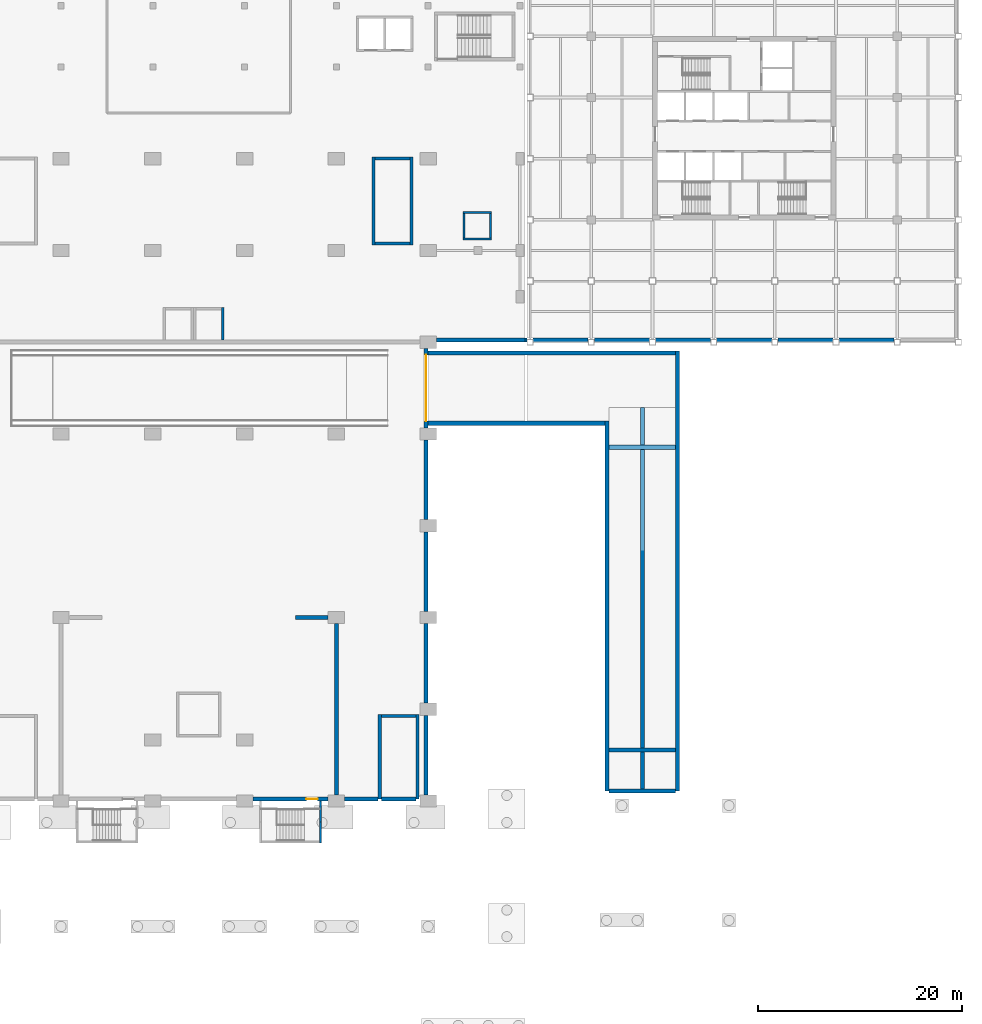
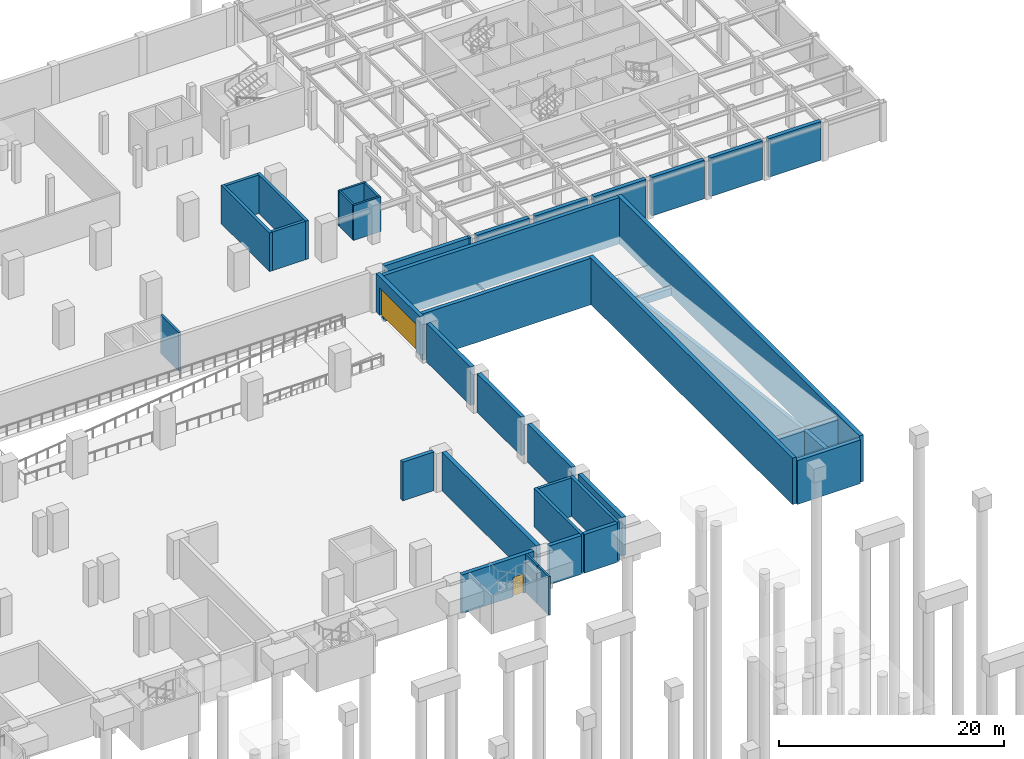
# One storey, part 15 of 27: 40 walls, 2 doors, 2 openings.
"""IFC4 building model written with IfcOpenShell, lengths in metres."""

import ifcopenshell
import ifcopenshell.guid

model = None  # the IFC model being written
_history = None  # IfcOwnerHistory: only IFC2X3 demands one
_inside = {}  # id of a spatial element -> (the spatial element, [elements in it])
_under = {}  # id of a project, library or spatial element -> (it, [spatial elements below it])
_declared = {}  # id of a project -> (the project, [libraries it declares])
_typed = {}  # id of a type object -> (the type object, [elements of that type])
_made_of = {}  # id of a material, layer set ... -> (it, [elements and type objects made of it])


def new_model(schema):
    """Start an empty IFC model of exactly this schema.

    Asked for "IFC4X3", IfcOpenShell would pick the latest addendum, in which some entities
    have other attributes; the version numbers below select the first issue.
    IFC2X3 requires an IfcOwnerHistory on every rooted entity: one is made here for all.
    """
    global model, _history
    if schema == "IFC4X3":
        model = ifcopenshell.file(schema_version=(4, 3, 0, 0))
    else:
        model = ifcopenshell.file(schema=schema)
    _inside.clear()
    _under.clear()
    _declared.clear()
    _typed.clear()
    _made_of.clear()
    _history = None
    if model.schema == "IFC2X3":
        org = make("IfcOrganization", Name="unknown")
        user = make(
            "IfcPersonAndOrganization",
            ThePerson=make("IfcPerson", FamilyName="unknown"),
            TheOrganization=org,
        )
        app = make(
            "IfcApplication",
            ApplicationDeveloper=org,
            Version="unknown",
            ApplicationFullName="unknown",
            ApplicationIdentifier="unknown",
        )
        _history = make(
            "IfcOwnerHistory",
            OwningUser=user,
            OwningApplication=app,
            ChangeAction="ADDED",
            CreationDate=0,
        )
    return model


def make(cls, **values):
    """One entity of the class cls with the attributes given. An attribute that is None is left unset."""
    return model.create_entity(
        cls, **{name: value for name, value in values.items() if value is not None}
    )


def rooted(cls, **values):
    """An entity with a GlobalId (a new one), such as an element, a storey or a relation."""
    return make(cls, GlobalId=ifcopenshell.guid.new(), OwnerHistory=_history, **values)


def si_unit(unit_type, name, prefix=None):
    """IfcSIUnit, for example si_unit("LENGTHUNIT", "METRE", prefix="MILLI")."""
    return make("IfcSIUnit", UnitType=unit_type, Prefix=prefix, Name=name)


def assignment(units):
    """IfcUnitAssignment: the units of a project."""
    return None if units is None else make("IfcUnitAssignment", Units=units)


def point(xyz):
    """IfcCartesianPoint."""
    return None if xyz is None else make("IfcCartesianPoint", Coordinates=xyz)


def direction(xyz):
    """IfcDirection."""
    return None if xyz is None else make("IfcDirection", DirectionRatios=xyz)


def frame(location, z_axis=None, x_axis=None):
    """IfcAxis2Placement3D, a coordinate frame: its origin and axes. An axis left out is left unset."""
    return make(
        "IfcAxis2Placement3D",
        Location=point(location),
        Axis=direction(z_axis),
        RefDirection=direction(x_axis),
    )


def frame_2d(location, x_axis=None):
    """IfcAxis2Placement2D, a coordinate frame in the plane: its origin and x axis."""
    return make(
        "IfcAxis2Placement2D", Location=point(location), RefDirection=direction(x_axis)
    )


def origin():
    """The frame at (0, 0, 0) with its axes left unset."""
    return frame((0.0, 0.0, 0.0))


def place(relative_to, where):
    """IfcLocalPlacement: puts the frame where relative to a parent placement (None: the world)."""
    return make(
        "IfcLocalPlacement", PlacementRelTo=relative_to, RelativePlacement=where
    )


def context(
    kind, dimensions, precision=None, world=None, true_north=None, identifier=None
):
    """IfcGeometricRepresentationContext, for example the 3D "Model" context."""
    return make(
        "IfcGeometricRepresentationContext",
        ContextIdentifier=identifier,
        ContextType=kind,
        CoordinateSpaceDimension=dimensions,
        Precision=precision,
        WorldCoordinateSystem=world,
        TrueNorth=true_north,
    )


def subcontext(parent, identifier, kind, view, scale=None):
    """IfcGeometricRepresentationSubContext, for example "Body" below "Model"."""
    return make(
        "IfcGeometricRepresentationSubContext",
        ContextIdentifier=identifier,
        ContextType=kind,
        ParentContext=parent,
        TargetScale=scale,
        TargetView=view,
    )


def project(units=None, contexts=None):
    """IfcProject with its units and contexts."""
    return rooted(
        "IfcProject",
        Name="project",
        RepresentationContexts=contexts,
        UnitsInContext=assignment(units),
    )


def spatial(cls, under=None, at=None, **own):
    """A site, building, storey or space (cls), placed at a placement, below another one or the project."""
    s = rooted(cls, ObjectPlacement=at, **own)
    if under is not None:
        _under.setdefault(under.id(), (under, []))[1].append(s)
    return s


def polyline(points):
    """IfcPolyline through the points."""
    return make("IfcPolyline", Points=[point(p) for p in points])


def profile(cls, at=None, kind="AREA", **sizes):
    """A parametric profile (cls). Its sizes go by their IFC names, for example OverallWidth=200.0."""
    return make(cls, ProfileType=kind, Position=at, **sizes)


def rectangle(**sizes):
    """IfcRectangleProfileDef."""
    return profile("IfcRectangleProfileDef", **sizes)


def outline(outer, holes=None, kind="AREA"):
    """IfcArbitraryClosedProfileDef: a profile drawn as a closed curve; with holes, ...WithVoids."""
    if holes is None:
        return make("IfcArbitraryClosedProfileDef", ProfileType=kind, OuterCurve=outer)
    return make(
        "IfcArbitraryProfileDefWithVoids",
        ProfileType=kind,
        OuterCurve=outer,
        InnerCurves=holes,
    )


def extrude(swept, where, along, depth):
    """IfcExtrudedAreaSolid: the profile swept, set in the frame where, extruded along a direction by depth."""
    return make(
        "IfcExtrudedAreaSolid",
        SweptArea=swept,
        Position=where,
        ExtrudedDirection=direction(along),
        Depth=depth,
    )


def shape(context_of_items, identifier, shape_type, items):
    """IfcShapeRepresentation: the items that make up one representation, for example the "Body"."""
    return make(
        "IfcShapeRepresentation",
        ContextOfItems=context_of_items,
        RepresentationIdentifier=identifier,
        RepresentationType=shape_type,
        Items=items,
    )


def material(Name=None, Category=None):
    """IfcMaterial."""
    return make("IfcMaterial", Name=Name, Category=Category)


def layer(
    of_material, thickness, ventilated=None, Name=None, Category=None, Priority=None
):
    """IfcMaterialLayer: one layer of a wall or slab, of a material (None: an air gap)."""
    return make(
        "IfcMaterialLayer",
        Material=of_material,
        LayerThickness=thickness,
        IsVentilated=ventilated,
        Name=Name,
        Category=Category,
        Priority=Priority,
    )


def layer_set(layers, Name=None):
    """IfcMaterialLayerSet."""
    return make("IfcMaterialLayerSet", MaterialLayers=layers, LayerSetName=Name)


def made_of(thing, what):
    """Note that an element or type object is made of a material, layer set ...; save() writes the relation."""
    if what is not None:
        _made_of.setdefault(what.id(), (what, []))[1].append(thing)
    return thing


def type_object(cls, material=None, **own):
    """A type object (cls), such as IfcWallType, which elements share."""
    return made_of(rooted(cls, **own), material)


def element(
    cls,
    number,
    at=None,
    inside=None,
    cuts=None,
    type_object=None,
    material=None,
    context=None,
    identifier="Body",
    shape_type=None,
    held_by="IfcProductDefinitionShape",
    body=None,
    shapes=None,
    **own,
):
    """One element of the class cls, such as IfcWall. Its Tag is "e" and its number.

    at: its placement. inside: the storey or other place that contains it. cuts: it is an
    opening in that element (IfcRelVoidsElement). A single representation is given by context,
    identifier, shape_type and body (its items); several are given by shapes. held_by: the class
    of the entity that holds the representations. save() writes the other relations.
    """
    e = rooted(cls, Tag="e%d" % number, ObjectPlacement=at, **own)
    if body is not None:
        shapes = [shape(context, identifier, shape_type, body)]
    if shapes is not None:
        e.Representation = make(held_by, Representations=shapes)
    if inside is not None:
        _inside.setdefault(inside.id(), (inside, []))[1].append(e)
    if cuts is not None:
        rooted(
            "IfcRelVoidsElement", RelatingBuildingElement=cuts, RelatedOpeningElement=e
        )
    if type_object is not None:
        _typed.setdefault(type_object.id(), (type_object, []))[1].append(e)
    return made_of(e, material)


def fill(opening, filler):
    """IfcRelFillsElement: the door or window that sits in an opening."""
    return rooted(
        "IfcRelFillsElement",
        RelatingOpeningElement=opening,
        RelatedBuildingElement=filler,
    )


def aggregate(whole, parts):
    """IfcRelAggregates: a whole, such as a stair, and the parts it consists of."""
    return rooted("IfcRelAggregates", RelatingObject=whole, RelatedObjects=parts)


def save(model, path):
    """Write the relations noted so far, then the file.

    IfcRelAggregates (storeys below a building ...), IfcRelContainedInSpatialStructure (elements
    in a storey), IfcRelDefinesByType, IfcRelAssociatesMaterial and IfcRelDeclares: one each for
    every whole, place, type object, material and project.
    """
    for whole, parts in _under.values():
        aggregate(whole, parts)
    for where, things in _inside.values():
        rooted(
            "IfcRelContainedInSpatialStructure",
            RelatedElements=things,
            RelatingStructure=where,
        )
    for kind, things in _typed.values():
        rooted("IfcRelDefinesByType", RelatedObjects=things, RelatingType=kind)
    for what, things in _made_of.values():
        rooted("IfcRelAssociatesMaterial", RelatedObjects=things, RelatingMaterial=what)
    for by, libraries in _declared.values():
        rooted("IfcRelDeclares", RelatingContext=by, RelatedDefinitions=libraries)
    model.write(path)


model = new_model("IFC4")

# Units and contexts
model_context = context("Model", 3, precision=1e-05, world=origin(), true_north=direction((0.0, 1.0)))
body_context = subcontext(model_context, "Body", "Model", "MODEL_VIEW")
ifc_project = project(units=[si_unit("LENGTHUNIT", "METRE"), si_unit("AREAUNIT", "SQUARE_METRE"), si_unit("VOLUMEUNIT", "CUBIC_METRE"), si_unit("PLANEANGLEUNIT", "RADIAN"), si_unit("MASSUNIT", "GRAM", prefix="KILO")], contexts=[model_context])

# Site, building, storey
site_placement = place(None, origin())
site = spatial("IfcSite", under=ifc_project, at=site_placement, CompositionType="ELEMENT")
building_placement = place(site_placement, origin())
building = spatial("IfcBuilding", under=site, at=building_placement, Name="Aravalli Gate Trade Fair Centre", CompositionType="ELEMENT")
storey_placement = place(building_placement, frame((0.0, 0.0, -4.199951171875)))
storey = spatial("IfcBuildingStorey", under=building, at=storey_placement, Name="B1", CompositionType="ELEMENT", Elevation=-4.199951171875)

# Walls
ifc_material_1 = material(Name="Compressible joint filler")
ifc_layer_1 = layer(ifc_material_1, 0.169921875, Name="Joint filler, soil side")
ifc_material_2 = material(Name="PVC waterstop")
ifc_layer_2 = layer(ifc_material_2, 0.06005859375, Name="PVC waterstop, centre bulb")
ifc_layer_3 = layer(ifc_material_1, 0.169921875, Name="Joint filler, inner face")
ifc_layer_set_1 = layer_set([ifc_layer_1, ifc_layer_2, ifc_layer_3], Name="Basement joint filler wall 400")
wall_type_1 = type_object("IfcWallType", Name="Basement joint filler wall 400", PredefinedType="SOLIDWALL", material=ifc_layer_set_1)
wall_1_placement = place(storey_placement, frame((159.5, 91.199951171875, 0.0), z_axis=(0.0, 0.0, 1.0), x_axis=(1.0, 0.0, 0.0)))
element("IfcWall", 1, at=wall_1_placement, inside=storey, type_object=wall_type_1, Name="Joint filler wall S2 B1", PredefinedType="SOLIDWALL", context=body_context, shape_type="SweptSolid", body=[
    extrude(rectangle(XDim=0.199951171875, YDim=0.39990234375, at=frame_2d((0.10009765625, 0.0))), origin(), (0.0, 0.0, 1.0), 4.199951171875),
])
ifc_material_3 = material(Name="Concrete M40", Category="concrete")
ifc_layer_4 = layer(ifc_material_3, 0.39990234375)
ifc_layer_set_2 = layer_set([ifc_layer_4], Name="Concrete M40")
wall_type_2 = type_object("IfcWallType", Name="Basement ramp wall 400", PredefinedType="SOLIDWALL", material=ifc_layer_set_2)
wall_2_placement = place(storey_placement, frame((167.550048828125, 47.0, -0.85009765625), z_axis=(0.0, 0.0, 1.0), x_axis=(0.0, 1.0, 0.0)))
element("IfcWall", 2, at=wall_2_placement, inside=storey, type_object=wall_type_2, Name="Ramp wall west", PredefinedType="SOLIDWALL", context=body_context, shape_type="SweptSolid", body=[
    extrude(rectangle(XDim=36.25, YDim=0.39990234375, at=frame_2d((18.125, 0.0))), origin(), (0.0, 0.0, 1.0), 5.050048828125),
])
wall_3_placement = place(storey_placement, frame((174.449951171875, 47.0, -0.85009765625), z_axis=(0.0, 0.0, 1.0), x_axis=(0.0, 1.0, 0.0)))
element("IfcWall", 3, at=wall_3_placement, inside=storey, type_object=wall_type_2, Name="Ramp wall east", PredefinedType="SOLIDWALL", context=body_context, shape_type="SweptSolid", body=[
    extrude(rectangle(XDim=43.14990234375, YDim=0.39990234375, at=frame_2d((21.574951171875, 0.0))), origin(), (0.0, 0.0, 1.0), 5.050048828125),
])
wall_4_placement = place(storey_placement, frame((150.0, 89.949951171875, -0.85009765625), z_axis=(0.0, 0.0, 1.0), x_axis=(1.0, 0.0, 0.0)))
element("IfcWall", 4, at=wall_4_placement, inside=storey, type_object=wall_type_2, Name="Channel wall north", PredefinedType="SOLIDWALL", context=body_context, shape_type="SweptSolid", body=[
    extrude(rectangle(XDim=24.25, YDim=0.39990234375, at=frame_2d((12.125, 0.0))), origin(), (0.0, 0.0, 1.0), 5.050048828125),
])
wall_5_placement = place(storey_placement, frame((150.0, 83.050048828125, -0.85009765625), z_axis=(0.0, 0.0, 1.0), x_axis=(1.0, 0.0, 0.0)))
element("IfcWall", 5, at=wall_5_placement, inside=storey, type_object=wall_type_2, Name="Channel wall south", PredefinedType="SOLIDWALL", context=body_context, shape_type="SweptSolid", body=[
    extrude(rectangle(XDim=17.35009765625, YDim=0.39990234375, at=frame_2d((8.675048828125, 0.0))), origin(), (0.0, 0.0, 1.0), 5.050048828125),
])
wall_6_placement = place(storey_placement, frame((171.0, 47.0, -0.85009765625), z_axis=(0.0, 0.0, 1.0), x_axis=(0.0, 1.0, 0.0)))
element("IfcWall", 6, at=wall_6_placement, inside=storey, type_object=wall_type_2, Name="Ramp bearing wall A centre", PredefinedType="SOLIDWALL", context=body_context, shape_type="SweptSolid", body=[
    extrude(outline(polyline([(0.0, 0.0), (37.60009765625, 0.0), (37.60009765625, 0.550048828125), (33.60009765625, 0.800048828125), (4.0, 4.5), (0.0, 4.75), (0.0, 0.0)])), frame((0.0, 0.199951171875, 0.0), z_axis=(0.0, -1.0, 0.0), x_axis=(1.0, 0.0, 0.0)), (0.0, 0.0, 1.0), 0.39990234375),
])
wall_7_placement = place(storey_placement, frame((167.75, 47.0, -0.85009765625), z_axis=(0.0, 0.0, 1.0), x_axis=(1.0, 0.0, 0.0)))
element("IfcWall", 7, at=wall_7_placement, inside=storey, type_object=wall_type_2, Name="Ramp bearing wall A1", PredefinedType="SOLIDWALL", context=body_context, shape_type="SweptSolid", body=[
    extrude(rectangle(XDim=6.5, YDim=0.39990234375, at=frame_2d((3.25, 0.0))), origin(), (0.0, 0.0, 1.0), 4.75),
])
wall_8_placement = place(storey_placement, frame((167.75, 51.0, -0.85009765625), z_axis=(0.0, 0.0, 1.0), x_axis=(1.0, 0.0, 0.0)))
element("IfcWall", 8, at=wall_8_placement, inside=storey, type_object=wall_type_2, Name="Ramp bearing wall A2", PredefinedType="SOLIDWALL", context=body_context, shape_type="SweptSolid", body=[
    extrude(rectangle(XDim=6.5, YDim=0.39990234375, at=frame_2d((3.25, 0.0))), origin(), (0.0, 0.0, 1.0), 4.5),
])
wall_9_placement = place(storey_placement, frame((167.75, 80.699951171875, -0.85009765625), z_axis=(0.0, 0.0, 1.0), x_axis=(1.0, 0.0, 0.0)))
element("IfcWall", 9, at=wall_9_placement, inside=storey, type_object=wall_type_2, Name="Ramp bearing wall A3", PredefinedType="SOLIDWALL", context=body_context, shape_type="SweptSolid", body=[
    extrude(rectangle(XDim=6.5, YDim=0.39990234375, at=frame_2d((3.25, 0.0))), origin(), (0.0, 0.0, 1.0), 0.793701171875),
])

# Wall, opening, door
ifc_layer_5 = layer(ifc_material_3, 0.39990234375)
ifc_layer_set_3 = layer_set([ifc_layer_5], Name="Concrete M40")
wall_type_3 = type_object("IfcWallType", Name="Basement retaining wall 400", PredefinedType="SOLIDWALL", material=ifc_layer_set_3)
wall_10_placement = place(storey_placement, frame((132.800048828125, 46.199951171875, 0.0), z_axis=(0.0, 0.0, 1.0), x_axis=(1.0, 0.0, 0.0)))
wall_10 = element("IfcWall", 10, at=wall_10_placement, inside=storey, type_object=wall_type_3, Name="Retaining wall S16 B1", PredefinedType="SOLIDWALL", context=body_context, shape_type="SweptSolid", body=[
    extrude(rectangle(XDim=7.39990234375, YDim=0.39990234375, at=frame_2d((3.699951171875, 0.0))), origin(), (0.0, 0.0, 1.0), 4.199951171875),
])
opening_1_placement = place(wall_10_placement, frame((5.25, 0.0, 0.0)))
opening_1 = element("IfcOpeningElement", 11, at=opening_1_placement, cuts=wall_10, Name="Opening B-B1-14", PredefinedType="OPENING", context=body_context, shape_type="SweptSolid", body=[
    extrude(rectangle(XDim=1.10009765625, YDim=2.10009765625, at=frame_2d((0.550048828125, 1.050048828125))), frame((0.0, 0.2099609375, 0.0), z_axis=(0.0, -1.0, 0.0), x_axis=(1.0, 0.0, 0.0)), (0.0, 0.0, 1.0), 0.419921875),
])
ifc_material_4 = material(Name="Steel", Category="steel")
door_type_1 = type_object("IfcDoorType", Name="Basement stair door 1100x2100", OperationType="SINGLE_SWING_LEFT", PredefinedType="DOOR", material=ifc_material_4)
door_1_placement = place(opening_1_placement, frame((1.10009765625, 0.0, 0.0), z_axis=(0.0, 0.0, 1.0), x_axis=(-1.0, 0.0, 0.0)))
door_1 = element("IfcDoor", 12, at=door_1_placement, inside=storey, type_object=door_type_1, Name="Basement stair S7 door B1", OperationType="SINGLE_SWING_LEFT", OverallHeight=2.10009765625, OverallWidth=1.10009765625, PredefinedType="DOOR", context=body_context, shape_type="SweptSolid", body=[
    extrude(rectangle(XDim=1.10009765625, YDim=2.10009765625, at=frame_2d((0.550048828125, 1.050048828125))), frame((0.0, 0.02490234375, 0.0), z_axis=(0.0, -1.0, 0.0), x_axis=(1.0, 0.0, 0.0)), (0.0, 0.0, 1.0), 0.050048828125),
])
fill(opening_1, door_1)

# Walls
wall_11_placement = place(storey_placement, frame((141.800048828125, 46.199951171875, 0.0), z_axis=(0.0, 0.0, 1.0), x_axis=(1.0, 0.0, 0.0)))
element("IfcWall", 13, at=wall_11_placement, inside=storey, type_object=wall_type_3, Name="Retaining wall S17 B1", PredefinedType="SOLIDWALL", context=body_context, shape_type="SweptSolid", body=[
    extrude(rectangle(XDim=3.300048828125, YDim=0.39990234375, at=frame_2d((1.64990234375, 0.0))), origin(), (0.0, 0.0, 1.0), 4.199951171875),
])
wall_12_placement = place(storey_placement, frame((145.39990234375, 46.199951171875, 0.0), z_axis=(0.0, 0.0, 1.0), x_axis=(1.0, 0.0, 0.0)))
element("IfcWall", 14, at=wall_12_placement, inside=storey, type_object=wall_type_3, Name="Retaining wall S18 B1", PredefinedType="SOLIDWALL", context=body_context, shape_type="SweptSolid", body=[
    extrude(rectangle(XDim=3.400146484375, YDim=0.39990234375, at=frame_2d((1.7001953125, 0.0))), origin(), (0.0, 0.0, 1.0), 4.199951171875),
])
for number, where, z_axis, x_axis, name in (
    (15, (149.800048828125, 46.60009765625, 0.0), (0.0, 0.0, 1.0), (0.0, 1.0, 0.0), "Retaining wall E101 B1"),
    (16, (149.800048828125, 55.60009765625, 0.0), (0.0, 0.0, 1.0), (0.0, 1.0, 0.0), "Retaining wall E102 B1"),
    (17, (149.800048828125, 64.60009765625, 0.0), (0.0, 0.0, 1.0), (0.0, 1.0, 0.0), "Retaining wall E103 B1"),
    (18, (149.800048828125, 73.60009765625, 0.0), (0.0, 0.0, 1.0), (0.0, 1.0, 0.0), "Retaining wall E104 B1"),
):
    element("IfcWall", number, at=place(storey_placement, frame(where, z_axis=z_axis, x_axis=x_axis)), inside=storey, type_object=wall_type_3, Name=name, PredefinedType="SOLIDWALL", context=body_context, shape_type="SweptSolid", body=[
        extrude(rectangle(XDim=7.7998046875, YDim=0.39990234375, at=frame_2d((3.89990234375, 0.0))), origin(), (0.0, 0.0, 1.0), 4.199951171875),
    ])

# Wall, opening, door
wall_13_placement = place(storey_placement, frame((149.800048828125, 82.60009765625, 0.0), z_axis=(0.0, 0.0, 1.0), x_axis=(0.0, 1.0, 0.0)))
wall_13 = element("IfcWall", 19, at=wall_13_placement, inside=storey, type_object=wall_type_3, Name="Retaining wall E105 B1", PredefinedType="SOLIDWALL", context=body_context, shape_type="SweptSolid", body=[
    extrude(rectangle(XDim=7.7998046875, YDim=0.39990234375, at=frame_2d((3.89990234375, 0.0))), origin(), (0.0, 0.0, 1.0), 4.199951171875),
])
opening_2_placement = place(wall_13_placement, frame((0.64990234375, 0.0, 0.0)))
opening_2 = element("IfcOpeningElement", 20, at=opening_2_placement, cuts=wall_13, Name="Opening B-B1-01", PredefinedType="OPENING", context=body_context, shape_type="SweptSolid", body=[
    extrude(rectangle(XDim=6.5, YDim=3.0, at=frame_2d((3.25, 1.5))), frame((0.0, 0.2099609375, 0.0), z_axis=(0.0, -1.0, 0.0), x_axis=(1.0, 0.0, 0.0)), (0.0, 0.0, 1.0), 0.419921875),
])
door_type_2 = type_object("IfcDoorType", Name="Basement vehicle gate 6500x3000", OperationType="ROLLINGUP", PredefinedType="DOOR", material=ifc_material_4)
door_2_placement = place(opening_2_placement, frame((6.5, 0.0, 0.0), z_axis=(0.0, 0.0, 1.0), x_axis=(-1.0, 0.0, 0.0)))
door_2 = element("IfcDoor", 21, at=door_2_placement, inside=storey, type_object=door_type_2, Name="Vehicle gate to the car ramp", OperationType="SINGLE_SWING_LEFT", OverallHeight=3.0, OverallWidth=6.5, PredefinedType="DOOR", context=body_context, shape_type="SweptSolid", body=[
    extrude(rectangle(XDim=6.5, YDim=3.0, at=frame_2d((3.25, 1.5))), frame((0.0, 0.02490234375, 0.0), z_axis=(0.0, -1.0, 0.0), x_axis=(1.0, 0.0, 0.0)), (0.0, 0.0, 1.0), 0.050048828125),
])
fill(opening_2, door_2)

# Walls
wall_14_placement = place(storey_placement, frame((150.800048828125, 91.199951171875, 0.0), z_axis=(0.0, 0.0, 1.0), x_axis=(1.0, 0.0, 0.0)))
element("IfcWall", 22, at=wall_14_placement, inside=storey, type_object=wall_type_3, Name="Retaining wall S201 B1", PredefinedType="SOLIDWALL", context=body_context, shape_type="SweptSolid", body=[
    extrude(rectangle(XDim=8.699951171875, YDim=0.39990234375, at=frame_2d((4.35009765625, 0.0))), origin(), (0.0, 0.0, 1.0), 4.199951171875),
])
for number, where, z_axis, x_axis, name in (
    (23, (160.300048828125, 91.199951171875, 0.0), (0.0, 0.0, 1.0), (1.0, 0.0, 0.0), "Retaining wall S202 B1"),
    (24, (166.300048828125, 91.199951171875, 0.0), (0.0, 0.0, 1.0), (1.0, 0.0, 0.0), "Retaining wall S203 B1"),
    (25, (172.300048828125, 91.199951171875, 0.0), (0.0, 0.0, 1.0), (1.0, 0.0, 0.0), "Retaining wall S204 B1"),
    (26, (178.300048828125, 91.199951171875, 0.0), (0.0, 0.0, 1.0), (1.0, 0.0, 0.0), "Retaining wall S205 B1"),
    (27, (184.300048828125, 91.199951171875, 0.0), (0.0, 0.0, 1.0), (1.0, 0.0, 0.0), "Retaining wall S206 B1"),
    (28, (190.300048828125, 91.199951171875, 0.0), (0.0, 0.0, 1.0), (1.0, 0.0, 0.0), "Retaining wall S207 B1"),
):
    element("IfcWall", number, at=place(storey_placement, frame(where, z_axis=z_axis, x_axis=x_axis)), inside=storey, type_object=wall_type_3, Name=name, PredefinedType="SOLIDWALL", context=body_context, shape_type="SweptSolid", body=[
        extrude(rectangle(XDim=5.39990234375, YDim=0.39990234375, at=frame_2d((2.699951171875, 0.0))), origin(), (0.0, 0.0, 1.0), 4.199951171875),
    ])
ifc_material_5 = material(Name="Concrete M35", Category="concrete")
ifc_layer_6 = layer(ifc_material_5, 0.199951171875)
ifc_layer_set_4 = layer_set([ifc_layer_6], Name="Concrete M35")
wall_type_4 = type_object("IfcWallType", Name="Basement stair enclosure wall 200", PredefinedType="SOLIDWALL", material=ifc_layer_set_4)
for number, where, z_axis, x_axis, name in (
    (29, (139.449951171875, 46.0, 0.0), (0.0, 0.0, 1.0), (0.0, -1.0, 0.0), "Basement stair S7 enclosure wall R1 B1"),
    (30, (139.449951171875, 43.949951171875, 0.0), (0.0, 0.0, 1.0), (0.0, -1.0, 0.0), "Basement stair S7 enclosure wall R2 B1"),
):
    element("IfcWall", number, at=place(storey_placement, frame(where, z_axis=z_axis, x_axis=x_axis)), inside=storey, type_object=wall_type_4, Name=name, PredefinedType="SOLIDWALL", context=body_context, shape_type="SweptSolid", body=[
        extrude(rectangle(XDim=2.050048828125, YDim=0.199951171875, at=frame_2d((1.02490234375, 0.0))), origin(), (0.0, 0.0, 1.0), 4.199951171875),
    ])
ifc_layer_7 = layer(ifc_material_3, 0.25)
ifc_layer_set_5 = layer_set([ifc_layer_7], Name="Concrete M40")
wall_type_5 = type_object("IfcWallType", Name="Congress RC wall 250 shaft", PredefinedType="SHEAR", material=ifc_layer_set_5)
wall_15_placement = place(storey_placement, frame((129.875, 91.199951171875, 0.0), z_axis=(0.0, 0.0, 1.0), x_axis=(0.0, 1.0, 0.0)))
element("IfcWall", 31, at=wall_15_placement, inside=storey, type_object=wall_type_5, Name="Lift GL2 shaft wall E B1", PredefinedType="SHEAR", context=body_context, shape_type="SweptSolid", body=[
    extrude(rectangle(XDim=3.199951171875, YDim=0.25, at=frame_2d((1.60009765625, 0.0))), origin(), (0.0, 0.0, 1.0), 4.199951171875),
])
ifc_layer_8 = layer(ifc_material_3, 0.300048828125)
ifc_layer_set_6 = layer_set([ifc_layer_8], Name="Concrete M40")
wall_type_6 = type_object("IfcWallType", Name="Congress RC wall 300", PredefinedType="SHEAR", material=ifc_layer_set_6)
for number, where, z_axis, x_axis, name in (
    (32, (145.25, 46.199951171875, 0.0), (0.0, 0.0, 1.0), (0.0, 1.0, 0.0), "Stage Stair East wall W B1"),
    (33, (148.949951171875, 46.199951171875, 0.0), (0.0, 0.0, 1.0), (0.0, 1.0, 0.0), "Stage Stair East wall E B1"),
):
    element("IfcWall", number, at=place(storey_placement, frame(where, z_axis=z_axis, x_axis=x_axis)), inside=storey, type_object=wall_type_6, Name=name, PredefinedType="SHEAR", context=body_context, shape_type="SweptSolid", body=[
        extrude(rectangle(XDim=8.300048828125, YDim=0.300048828125, at=frame_2d((4.14990234375, 0.0))), origin(), (0.0, 0.0, 1.0), 4.199951171875),
    ])
wall_16_placement = place(storey_placement, frame((145.39990234375, 54.35009765625, 0.0), z_axis=(0.0, 0.0, 1.0), x_axis=(1.0, 0.0, 0.0)))
element("IfcWall", 34, at=wall_16_placement, inside=storey, type_object=wall_type_6, Name="Stage Stair East wall N B1", PredefinedType="SHEAR", context=body_context, shape_type="SweptSolid", body=[
    extrude(rectangle(XDim=3.400146484375, YDim=0.300048828125, at=frame_2d((1.7001953125, 0.0))), origin(), (0.0, 0.0, 1.0), 4.199951171875),
])
for number, where, z_axis, x_axis, name in (
    (35, (144.64990234375, 100.550048828125, 0.0), (0.0, 0.0, 1.0), (0.0, 1.0, 0.0), "Foyer Stair East wall W B1"),
    (36, (148.35009765625, 100.550048828125, 0.0), (0.0, 0.0, 1.0), (0.0, 1.0, 0.0), "Foyer Stair East wall E B1"),
):
    element("IfcWall", number, at=place(storey_placement, frame(where, z_axis=z_axis, x_axis=x_axis)), inside=storey, type_object=wall_type_6, Name=name, PredefinedType="SHEAR", context=body_context, shape_type="SweptSolid", body=[
        extrude(rectangle(XDim=8.599853515625, YDim=0.300048828125, at=frame_2d((4.2998046875, 0.0))), origin(), (0.0, 0.0, 1.0), 4.199951171875),
    ])
for number, where, z_axis, x_axis, name in (
    (37, (144.800048828125, 100.699951171875, 0.0), (0.0, 0.0, 1.0), (1.0, 0.0, 0.0), "Foyer Stair East wall S B1"),
    (38, (144.800048828125, 109.0, 0.0), (0.0, 0.0, 1.0), (1.0, 0.0, 0.0), "Foyer Stair East wall N B1"),
):
    element("IfcWall", number, at=place(storey_placement, frame(where, z_axis=z_axis, x_axis=x_axis)), inside=storey, type_object=wall_type_6, Name=name, PredefinedType="SHEAR", context=body_context, shape_type="SweptSolid", body=[
        extrude(rectangle(XDim=3.39990234375, YDim=0.300048828125, at=frame_2d((1.699951171875, 0.0))), origin(), (0.0, 0.0, 1.0), 4.199951171875),
    ])
ifc_layer_9 = layer(ifc_material_3, 0.39990234375)
ifc_layer_set_7 = layer_set([ifc_layer_9], Name="Concrete M40")
wall_type_7 = type_object("IfcWallType", Name="Congress RC wall 400", PredefinedType="SHEAR", material=ifc_layer_set_7)
wall_17_placement = place(storey_placement, frame((141.0, 46.60009765625, 0.0), z_axis=(0.0, 0.0, 1.0), x_axis=(0.0, 1.0, 0.0)))
element("IfcWall", 39, at=wall_17_placement, inside=storey, type_object=wall_type_7, Name="Stage house wall line 141 B1", PredefinedType="SHEAR", context=body_context, shape_type="SweptSolid", body=[
    extrude(rectangle(XDim=16.7998046875, YDim=0.39990234375, at=frame_2d((8.39990234375, 0.0))), origin(), (0.0, 0.0, 1.0), 4.199951171875),
])
wall_18_placement = place(storey_placement, frame((137.0, 64.0, 0.0), z_axis=(0.0, 0.0, 1.0), x_axis=(1.0, 0.0, 0.0)))
element("IfcWall", 40, at=wall_18_placement, inside=storey, type_object=wall_type_7, Name="Proscenium wall E B1", PredefinedType="SHEAR", context=body_context, shape_type="SweptSolid", body=[
    extrude(rectangle(XDim=3.199951171875, YDim=0.39990234375, at=frame_2d((1.60009765625, 0.0))), origin(), (0.0, 0.0, 1.0), 4.199951171875),
])
ifc_material_6 = material(Name="Concrete M30", Category="concrete")
ifc_layer_10 = layer(ifc_material_6, 0.199951171875)
ifc_layer_set_8 = layer_set([ifc_layer_10], Name="Concrete M30")
wall_type_8 = type_object("IfcWallType", Name="Link stair enclosure 200", PredefinedType="SOLIDWALL", material=ifc_layer_set_8)
for number, where, z_axis, x_axis, name in (
    (41, (153.5, 101.199951171875, 0.0), (0.0, 0.0, 1.0), (0.0, 1.0, 0.0), "Link wall FHW B1"),
    (42, (156.10009765625, 101.199951171875, 0.0), (0.0, 0.0, 1.0), (0.0, 1.0, 0.0), "Link wall FHX B1"),
):
    element("IfcWall", number, at=place(storey_placement, frame(where, z_axis=z_axis, x_axis=x_axis)), inside=storey, type_object=wall_type_8, Name=name, PredefinedType="SOLIDWALL", context=body_context, shape_type="SweptSolid", body=[
        extrude(rectangle(XDim=2.400146484375, YDim=0.199951171875, at=frame_2d((1.2001953125, 0.0))), origin(), (0.0, 0.0, 1.0), 3.7900390625),
    ])
for number, where, z_axis, x_axis, name in (
    (43, (153.39990234375, 101.10009765625, 0.0), (0.0, 0.0, 1.0), (1.0, 0.0, 0.0), "Link wall FHB B1"),
    (44, (153.39990234375, 103.699951171875, 0.0), (0.0, 0.0, 1.0), (1.0, 0.0, 0.0), "Link wall FHS B1"),
):
    element("IfcWall", number, at=place(storey_placement, frame(where, z_axis=z_axis, x_axis=x_axis)), inside=storey, type_object=wall_type_8, Name=name, PredefinedType="SOLIDWALL", context=body_context, shape_type="SweptSolid", body=[
        extrude(rectangle(XDim=2.800048828125, YDim=0.199951171875, at=frame_2d((1.39990234375, 0.0))), origin(), (0.0, 0.0, 1.0), 3.7900390625),
    ])

save(model, "model.ifc")
